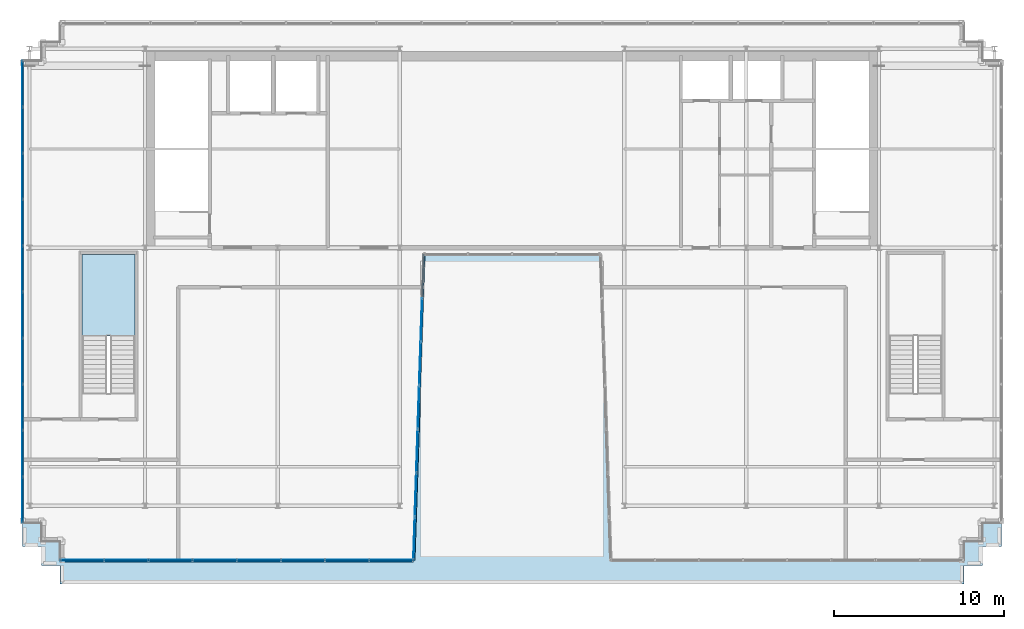
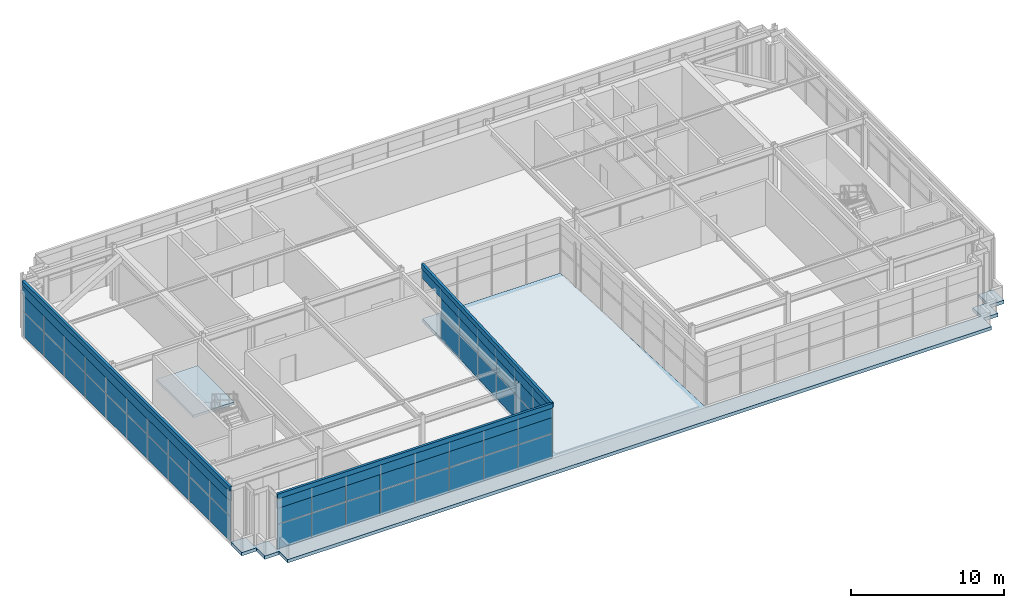
# One storey, part 27 of 37: 54 plates, 2 slabs, 4 elements without a shape of their own.
"""IFC4 building model written with IfcOpenShell, lengths in metres."""

from ifc_helpers import new_model, si_unit, direction, frame, origin, origin_2d, place, context, subcontext, project, spatial, polyline, rectangle, outline, extrude, source, transform, mapped, material, layer, layer_set, type_object, element, aggregate, save


model = new_model("IFC4")

# Units and contexts
model_context = context("Model", 3, precision=1e-05, world=origin(), true_north=direction((0.0, 1.0)))
body_context = subcontext(model_context, "Body", "Model", "MODEL_VIEW")
ifc_project = project(units=[si_unit("LENGTHUNIT", "METRE"), si_unit("AREAUNIT", "SQUARE_METRE"), si_unit("VOLUMEUNIT", "CUBIC_METRE"), si_unit("PLANEANGLEUNIT", "RADIAN"), si_unit("MASSUNIT", "GRAM", prefix="KILO")], contexts=[model_context])

# Site, building, storey
site_placement = place(None, origin())
site = spatial("IfcSite", under=ifc_project, at=site_placement, CompositionType="ELEMENT")
building_placement = place(site_placement, origin())
building = spatial("IfcBuilding", under=site, at=building_placement, Name="Trelvane Seafront Commons", CompositionType="ELEMENT")
storey_placement = place(building_placement, frame((0.0, 0.0, 303.5)))
storey = spatial("IfcBuildingStorey", under=building, at=storey_placement, Name="L79", CompositionType="ELEMENT", Elevation=303.5)

# Stair, slab
ifc_material_1 = material(Name="Concrete C40/50", Category="concrete")
stair_type = type_object("IfcStairType", Name="ARCH-STR-ST-5-R26-169", PredefinedType="HALF_TURN_STAIR", material=ifc_material_1)
stair_placement = place(storey_placement, origin())
stair = element("IfcStair", 1, at=stair_placement, inside=storey, type_object=stair_type, Name="L79 Crown West Peak Enclosed Maintenance Exit Stair ST-5", PredefinedType="HALF_TURN_STAIR")
ifc_layer_1 = layer(ifc_material_1, 0.199951171875, Name="ARCH-LND-200")
ifc_layer_set_1 = layer_set([ifc_layer_1], Name="Concrete C40/50")
slab_type_1 = type_object("IfcSlabType", Name="ARCH-LND-200", PredefinedType="LANDING", material=ifc_layer_set_1)
slab_1_placement = place(storey_placement, frame((0.0, 0.0, 2.0)))
slab_1 = element("IfcSlab", 2, at=slab_1_placement, type_object=slab_type_1, Name="ST-5 landing 1", PredefinedType="LANDING", context=body_context, shape_type="SweptSolid", body=[
    extrude(outline(polyline([(15.0, 28.2099609375), (15.0, 33.0), (11.89990234375, 33.0), (11.89990234375, 28.2099609375), (15.0, 28.2099609375)])), origin(), (0.0, 0.0, 1.0), 0.199951171875),
])
aggregate(stair, [slab_1])

# Slab
ifc_layer_2 = layer(ifc_material_1, 0.27001953125, Name="STR-ROOF-270")
ifc_layer_set_2 = layer_set([ifc_layer_2], Name="Concrete C40/50")
slab_type_2 = type_object("IfcSlabType", Name="STR-ROOF-270", PredefinedType="ROOF", material=ifc_layer_set_2)
slab_2_placement = place(storey_placement, frame((0.0, 0.0, -0.27001953125)))
element("IfcSlab", 3, at=slab_2_placement, inside=storey, type_object=slab_type_2, Name="L79 Crown Setback Step Roof Slab", PredefinedType="ROOF", context=body_context, shape_type="SweptSolid", body=[
    extrude(outline(polyline([(66.0, 17.199951171875), (64.89990234375, 17.199951171875), (64.89990234375, 16.10009765625), (63.800048828125, 16.10009765625), (63.800048828125, 15.0), (43.0, 15.0), (42.39990234375, 33.0), (32.0, 33.0), (31.39990234375, 15.0), (10.60009765625, 15.0), (10.60009765625, 16.10009765625), (9.5, 16.10009765625), (9.5, 17.199951171875), (8.39990234375, 17.199951171875), (8.39990234375, 15.800048828125), (9.5, 15.800048828125), (9.5, 14.699951171875), (10.60009765625, 14.699951171875), (10.60009765625, 13.60009765625), (63.800048828125, 13.60009765625), (63.800048828125, 14.699951171875), (64.89990234375, 14.699951171875), (64.89990234375, 15.800048828125), (66.0, 15.800048828125), (66.0, 17.199951171875)])), origin(), (0.0, 0.0, 1.0), 0.27001953125),
])

# Curtain wall, plates
ifc_material_2 = material(Name="Anodised pale-silver aluminium", Category="aluminium")
curtain_wall_type = type_object("IfcCurtainWallType", Name="ARCH-CW6-CROWN", PredefinedType="NOTDEFINED", material=ifc_material_2)
curtain_wall_1_placement = place(storey_placement, origin())
curtain_wall_1 = element("IfcCurtainWall", 4, at=curtain_wall_1_placement, inside=storey, type_object=curtain_wall_type, Name="CW-L79-0128", PredefinedType="NOTDEFINED")
ifc_material_3 = material(Name="Low-E coastal double glazing", Category="glass")
ifc_layer_3 = layer(ifc_material_3, 0.033935546875, Name="ARCH-CW-GLAZ-34")
ifc_layer_set_3 = layer_set([ifc_layer_3], Name="Low-E coastal double glazing")
plate_type_1 = type_object("IfcPlateType", Name="ARCH-CW-GLAZ-34", PredefinedType="CURTAIN_PANEL", material=ifc_layer_set_3)
shared_shape_1 = source(origin(), body_context, "Body", "SweptSolid", [
    extrude(rectangle(XDim=2.696044921875, YDim=0.031982421875, at=origin_2d()), origin(), (0.0, 0.0, 1.0), 1.949951171875),
])
plate_1_placement = place(storey_placement, frame((8.39990234375, 18.56005859375, 0.0), z_axis=(0.0, 0.0, 1.0), x_axis=(0.0, 1.0, 0.0)))
plate_1 = element("IfcPlate", 5, at=plate_1_placement, type_object=plate_type_1, Name="CW-L79-0128-P00-1", PredefinedType="CURTAIN_PANEL", context=body_context, shape_type="MappedRepresentation", body=[
    mapped(shared_shape_1, transform((0.0, 0.0, 0.0), x_axis=(1.0, 0.0, 0.0), y_axis=(0.0, 1.0, 0.0), z_axis=(0.0, 0.0, 1.0), scale=1.0)),
])
plate_2_placement = place(storey_placement, frame((8.39990234375, 21.280029296875, 0.0), z_axis=(0.0, 0.0, 1.0), x_axis=(0.0, 1.0, 0.0)))
plate_2 = element("IfcPlate", 6, at=plate_2_placement, type_object=plate_type_1, Name="CW-L79-0128-P01-1", PredefinedType="CURTAIN_PANEL", context=body_context, shape_type="MappedRepresentation", body=[
    mapped(shared_shape_1, transform((0.0, 0.0, 0.0), x_axis=(1.0, 0.0, 0.0), y_axis=(0.0, 1.0, 0.0), z_axis=(0.0, 0.0, 1.0), scale=1.0)),
])
plate_3_placement = place(storey_placement, frame((8.39990234375, 24.0, 0.0), z_axis=(0.0, 0.0, 1.0), x_axis=(0.0, 1.0, 0.0)))
plate_3 = element("IfcPlate", 7, at=plate_3_placement, type_object=plate_type_1, Name="CW-L79-0128-P02-1", PredefinedType="CURTAIN_PANEL", context=body_context, shape_type="MappedRepresentation", body=[
    mapped(shared_shape_1, transform((0.0, 0.0, 0.0), x_axis=(1.0, 0.0, 0.0), y_axis=(0.0, 1.0, 0.0), z_axis=(0.0, 0.0, 1.0), scale=1.0)),
])
plate_4_placement = place(storey_placement, frame((8.39990234375, 26.719970703125, 0.0), z_axis=(0.0, 0.0, 1.0), x_axis=(0.0, 1.0, 0.0)))
plate_4 = element("IfcPlate", 8, at=plate_4_placement, type_object=plate_type_1, Name="CW-L79-0128-P03-1", PredefinedType="CURTAIN_PANEL", context=body_context, shape_type="MappedRepresentation", body=[
    mapped(shared_shape_1, transform((0.0, 0.0, 0.0), x_axis=(1.0, 0.0, 0.0), y_axis=(0.0, 1.0, 0.0), z_axis=(0.0, 0.0, 1.0), scale=1.0)),
])
plate_5_placement = place(storey_placement, frame((8.39990234375, 29.43994140625, 0.0), z_axis=(0.0, 0.0, 1.0), x_axis=(0.0, 1.0, 0.0)))
plate_5 = element("IfcPlate", 9, at=plate_5_placement, type_object=plate_type_1, Name="CW-L79-0128-P04-1", PredefinedType="CURTAIN_PANEL", context=body_context, shape_type="MappedRepresentation", body=[
    mapped(shared_shape_1, transform((0.0, 0.0, 0.0), x_axis=(1.0, 0.0, 0.0), y_axis=(0.0, 1.0, 0.0), z_axis=(0.0, 0.0, 1.0), scale=1.0)),
])
plate_6_placement = place(storey_placement, frame((8.39990234375, 32.159912109375, 0.0), z_axis=(0.0, 0.0, 1.0), x_axis=(0.0, 1.0, 0.0)))
plate_6 = element("IfcPlate", 10, at=plate_6_placement, type_object=plate_type_1, Name="CW-L79-0128-P05-1", PredefinedType="CURTAIN_PANEL", context=body_context, shape_type="MappedRepresentation", body=[
    mapped(shared_shape_1, transform((0.0, 0.0, 0.0), x_axis=(1.0, 0.0, 0.0), y_axis=(0.0, 1.0, 0.0), z_axis=(0.0, 0.0, 1.0), scale=1.0)),
])
plate_7_placement = place(storey_placement, frame((8.39990234375, 34.8798828125, 0.0), z_axis=(0.0, 0.0, 1.0), x_axis=(0.0, 1.0, 0.0)))
plate_7 = element("IfcPlate", 11, at=plate_7_placement, type_object=plate_type_1, Name="CW-L79-0128-P06-1", PredefinedType="CURTAIN_PANEL", context=body_context, shape_type="MappedRepresentation", body=[
    mapped(shared_shape_1, transform((0.0, 0.0, 0.0), x_axis=(1.0, 0.0, 0.0), y_axis=(0.0, 1.0, 0.0), z_axis=(0.0, 0.0, 1.0), scale=1.0)),
])
plate_8_placement = place(storey_placement, frame((8.39990234375, 37.60009765625, 0.0), z_axis=(0.0, 0.0, 1.0), x_axis=(0.0, 1.0, 0.0)))
plate_8 = element("IfcPlate", 12, at=plate_8_placement, type_object=plate_type_1, Name="CW-L79-0128-P07-1", PredefinedType="CURTAIN_PANEL", context=body_context, shape_type="MappedRepresentation", body=[
    mapped(shared_shape_1, transform((0.0, 0.0, 0.0), x_axis=(1.0, 0.0, 0.0), y_axis=(0.0, 1.0, 0.0), z_axis=(0.0, 0.0, 1.0), scale=1.0)),
])
plate_9_placement = place(storey_placement, frame((8.39990234375, 40.320068359375, 0.0), z_axis=(0.0, 0.0, 1.0), x_axis=(0.0, 1.0, 0.0)))
plate_9 = element("IfcPlate", 13, at=plate_9_placement, type_object=plate_type_1, Name="CW-L79-0128-P08-1", PredefinedType="CURTAIN_PANEL", context=body_context, shape_type="MappedRepresentation", body=[
    mapped(shared_shape_1, transform((0.0, 0.0, 0.0), x_axis=(1.0, 0.0, 0.0), y_axis=(0.0, 1.0, 0.0), z_axis=(0.0, 0.0, 1.0), scale=1.0)),
])
plate_10_placement = place(storey_placement, frame((8.39990234375, 43.0400390625, 0.0), z_axis=(0.0, 0.0, 1.0), x_axis=(0.0, 1.0, 0.0)))
plate_10 = element("IfcPlate", 14, at=plate_10_placement, type_object=plate_type_1, Name="CW-L79-0128-P09-1", PredefinedType="CURTAIN_PANEL", context=body_context, shape_type="MappedRepresentation", body=[
    mapped(shared_shape_1, transform((0.0, 0.0, 0.0), x_axis=(1.0, 0.0, 0.0), y_axis=(0.0, 1.0, 0.0), z_axis=(0.0, 0.0, 1.0), scale=1.0)),
])
shared_shape_2 = source(origin(), body_context, "Body", "SweptSolid", [
    extrude(rectangle(XDim=2.696044921875, YDim=0.031982421875, at=origin_2d()), origin(), (0.0, 0.0, 1.0), 2.114013671875),
])
plate_11_placement = place(storey_placement, frame((8.39990234375, 18.56005859375, 1.98583984375), z_axis=(0.0, 0.0, 1.0), x_axis=(0.0, 1.0, 0.0)))
plate_11 = element("IfcPlate", 15, at=plate_11_placement, type_object=plate_type_1, Name="CW-L79-0128-P00-2", PredefinedType="CURTAIN_PANEL", context=body_context, shape_type="MappedRepresentation", body=[
    mapped(shared_shape_2, transform((0.0, 0.0, 0.0), x_axis=(1.0, 0.0, 0.0), y_axis=(0.0, 1.0, 0.0), z_axis=(0.0, 0.0, 1.0), scale=1.0)),
])
plate_12_placement = place(storey_placement, frame((8.39990234375, 21.280029296875, 1.98583984375), z_axis=(0.0, 0.0, 1.0), x_axis=(0.0, 1.0, 0.0)))
plate_12 = element("IfcPlate", 16, at=plate_12_placement, type_object=plate_type_1, Name="CW-L79-0128-P01-2", PredefinedType="CURTAIN_PANEL", context=body_context, shape_type="MappedRepresentation", body=[
    mapped(shared_shape_2, transform((0.0, 0.0, 0.0), x_axis=(1.0, 0.0, 0.0), y_axis=(0.0, 1.0, 0.0), z_axis=(0.0, 0.0, 1.0), scale=1.0)),
])
plate_13_placement = place(storey_placement, frame((8.39990234375, 24.0, 1.98583984375), z_axis=(0.0, 0.0, 1.0), x_axis=(0.0, 1.0, 0.0)))
plate_13 = element("IfcPlate", 17, at=plate_13_placement, type_object=plate_type_1, Name="CW-L79-0128-P02-2", PredefinedType="CURTAIN_PANEL", context=body_context, shape_type="MappedRepresentation", body=[
    mapped(shared_shape_2, transform((0.0, 0.0, 0.0), x_axis=(1.0, 0.0, 0.0), y_axis=(0.0, 1.0, 0.0), z_axis=(0.0, 0.0, 1.0), scale=1.0)),
])
plate_14_placement = place(storey_placement, frame((8.39990234375, 26.719970703125, 1.98583984375), z_axis=(0.0, 0.0, 1.0), x_axis=(0.0, 1.0, 0.0)))
plate_14 = element("IfcPlate", 18, at=plate_14_placement, type_object=plate_type_1, Name="CW-L79-0128-P03-2", PredefinedType="CURTAIN_PANEL", context=body_context, shape_type="MappedRepresentation", body=[
    mapped(shared_shape_2, transform((0.0, 0.0, 0.0), x_axis=(1.0, 0.0, 0.0), y_axis=(0.0, 1.0, 0.0), z_axis=(0.0, 0.0, 1.0), scale=1.0)),
])
plate_15_placement = place(storey_placement, frame((8.39990234375, 29.43994140625, 1.98583984375), z_axis=(0.0, 0.0, 1.0), x_axis=(0.0, 1.0, 0.0)))
plate_15 = element("IfcPlate", 19, at=plate_15_placement, type_object=plate_type_1, Name="CW-L79-0128-P04-2", PredefinedType="CURTAIN_PANEL", context=body_context, shape_type="MappedRepresentation", body=[
    mapped(shared_shape_2, transform((0.0, 0.0, 0.0), x_axis=(1.0, 0.0, 0.0), y_axis=(0.0, 1.0, 0.0), z_axis=(0.0, 0.0, 1.0), scale=1.0)),
])
plate_16_placement = place(storey_placement, frame((8.39990234375, 32.159912109375, 1.98583984375), z_axis=(0.0, 0.0, 1.0), x_axis=(0.0, 1.0, 0.0)))
plate_16 = element("IfcPlate", 20, at=plate_16_placement, type_object=plate_type_1, Name="CW-L79-0128-P05-2", PredefinedType="CURTAIN_PANEL", context=body_context, shape_type="MappedRepresentation", body=[
    mapped(shared_shape_2, transform((0.0, 0.0, 0.0), x_axis=(1.0, 0.0, 0.0), y_axis=(0.0, 1.0, 0.0), z_axis=(0.0, 0.0, 1.0), scale=1.0)),
])
plate_17_placement = place(storey_placement, frame((8.39990234375, 34.8798828125, 1.98583984375), z_axis=(0.0, 0.0, 1.0), x_axis=(0.0, 1.0, 0.0)))
plate_17 = element("IfcPlate", 21, at=plate_17_placement, type_object=plate_type_1, Name="CW-L79-0128-P06-2", PredefinedType="CURTAIN_PANEL", context=body_context, shape_type="MappedRepresentation", body=[
    mapped(shared_shape_2, transform((0.0, 0.0, 0.0), x_axis=(1.0, 0.0, 0.0), y_axis=(0.0, 1.0, 0.0), z_axis=(0.0, 0.0, 1.0), scale=1.0)),
])
plate_18_placement = place(storey_placement, frame((8.39990234375, 37.60009765625, 1.98583984375), z_axis=(0.0, 0.0, 1.0), x_axis=(0.0, 1.0, 0.0)))
plate_18 = element("IfcPlate", 22, at=plate_18_placement, type_object=plate_type_1, Name="CW-L79-0128-P07-2", PredefinedType="CURTAIN_PANEL", context=body_context, shape_type="MappedRepresentation", body=[
    mapped(shared_shape_2, transform((0.0, 0.0, 0.0), x_axis=(1.0, 0.0, 0.0), y_axis=(0.0, 1.0, 0.0), z_axis=(0.0, 0.0, 1.0), scale=1.0)),
])
plate_19_placement = place(storey_placement, frame((8.39990234375, 40.320068359375, 1.98583984375), z_axis=(0.0, 0.0, 1.0), x_axis=(0.0, 1.0, 0.0)))
plate_19 = element("IfcPlate", 23, at=plate_19_placement, type_object=plate_type_1, Name="CW-L79-0128-P08-2", PredefinedType="CURTAIN_PANEL", context=body_context, shape_type="MappedRepresentation", body=[
    mapped(shared_shape_2, transform((0.0, 0.0, 0.0), x_axis=(1.0, 0.0, 0.0), y_axis=(0.0, 1.0, 0.0), z_axis=(0.0, 0.0, 1.0), scale=1.0)),
])
plate_20_placement = place(storey_placement, frame((8.39990234375, 43.0400390625, 1.98583984375), z_axis=(0.0, 0.0, 1.0), x_axis=(0.0, 1.0, 0.0)))
plate_20 = element("IfcPlate", 24, at=plate_20_placement, type_object=plate_type_1, Name="CW-L79-0128-P09-2", PredefinedType="CURTAIN_PANEL", context=body_context, shape_type="MappedRepresentation", body=[
    mapped(shared_shape_2, transform((0.0, 0.0, 0.0), x_axis=(1.0, 0.0, 0.0), y_axis=(0.0, 1.0, 0.0), z_axis=(0.0, 0.0, 1.0), scale=1.0)),
])
aggregate(curtain_wall_1, [plate_1, plate_11, plate_2, plate_12, plate_3, plate_13, plate_4, plate_14, plate_5, plate_15, plate_6, plate_16, plate_7, plate_17, plate_8, plate_18, plate_9, plate_19, plate_10, plate_20])

# Plates
ifc_layer_4 = layer(ifc_material_2, 0.080078125, Name="ARCH-PLATE-LOUVRE")
ifc_layer_set_4 = layer_set([ifc_layer_4], Name="Anodised pale-silver aluminium")
plate_type_2 = type_object("IfcPlateType", Name="ARCH-PLATE-LOUVRE", PredefinedType="USERDEFINED", material=ifc_layer_set_4)
shared_shape_3 = source(origin(), body_context, "Body", "SweptSolid", [
    extrude(rectangle(XDim=27.199951171875, YDim=0.080078125, at=origin_2d()), origin(), (0.0, 0.0, 1.0), 0.889892578125),
])
plate_21_placement = place(storey_placement, frame((8.39990234375, 30.800048828125, 3.25), z_axis=(0.0, 0.0, 1.0), x_axis=(0.0, 1.0, 0.0)))
element("IfcPlate", 25, at=plate_21_placement, inside=storey, type_object=plate_type_2, Name="LOU-L79-017", ObjectType="LOUVRE", PredefinedType="USERDEFINED", context=body_context, shape_type="MappedRepresentation", body=[
    mapped(shared_shape_3, transform((0.0, 0.0, 0.0), x_axis=(1.0, 0.0, 0.0), y_axis=(0.0, 1.0, 0.0), z_axis=(0.0, 0.0, 1.0), scale=1.0)),
])
ifc_layer_5 = layer(ifc_material_2, 0.179931640625, Name="ARCH-PLATE-AERO")
ifc_layer_set_5 = layer_set([ifc_layer_5], Name="Anodised pale-silver aluminium")
plate_type_3 = type_object("IfcPlateType", Name="ARCH-PLATE-AERO", PredefinedType="SHEET", material=ifc_layer_set_5)
shared_shape_4 = source(origin(), body_context, "Body", "SweptSolid", [
    extrude(rectangle(XDim=27.199951171875, YDim=0.179931640625, at=origin_2d()), origin(), (0.0, 0.0, 1.0), 0.3798828125),
])
plate_22_placement = place(storey_placement, frame((8.39990234375, 30.800048828125, 4.0400390625), z_axis=(0.0, 0.0, 1.0), x_axis=(0.0, 1.0, 0.0)))
element("IfcPlate", 26, at=plate_22_placement, inside=storey, type_object=plate_type_3, Name="AER-L79-00274", PredefinedType="SHEET", context=body_context, shape_type="MappedRepresentation", body=[
    mapped(shared_shape_4, transform((0.0, 0.0, 0.0), x_axis=(1.0, 0.0, 0.0), y_axis=(0.0, 1.0, 0.0), z_axis=(0.0, 0.0, 1.0), scale=1.0)),
])

# Curtain wall, plates
curtain_wall_2_placement = place(storey_placement, origin())
curtain_wall_2 = element("IfcCurtainWall", 27, at=curtain_wall_2_placement, inside=storey, type_object=curtain_wall_type, Name="CW-L79-0135", PredefinedType="NOTDEFINED")
shared_shape_5 = source(origin(), body_context, "Body", "SweptSolid", [
    extrude(rectangle(XDim=2.575927734375, YDim=0.031982421875, at=origin_2d()), origin(), (0.0, 0.0, 1.0), 1.949951171875),
])
plate_23_placement = place(storey_placement, frame((30.10009765625, 15.0, 0.0), z_axis=(0.0, 0.0, 1.0), x_axis=(-1.0, 0.0, 0.0)))
plate_23 = element("IfcPlate", 28, at=plate_23_placement, type_object=plate_type_1, Name="CW-L79-0135-P00-1", PredefinedType="CURTAIN_PANEL", context=body_context, shape_type="MappedRepresentation", body=[
    mapped(shared_shape_5, transform((0.0, 0.0, 0.0), x_axis=(1.0, 0.0, 0.0), y_axis=(0.0, 1.0, 0.0), z_axis=(0.0, 0.0, 1.0), scale=1.0)),
])
plate_24_placement = place(storey_placement, frame((27.5, 15.0, 0.0), z_axis=(0.0, 0.0, 1.0), x_axis=(-1.0, 0.0, 0.0)))
plate_24 = element("IfcPlate", 29, at=plate_24_placement, type_object=plate_type_1, Name="CW-L79-0135-P01-1", PredefinedType="CURTAIN_PANEL", context=body_context, shape_type="MappedRepresentation", body=[
    mapped(shared_shape_5, transform((0.0, 0.0, 0.0), x_axis=(1.0, 0.0, 0.0), y_axis=(0.0, 1.0, 0.0), z_axis=(0.0, 0.0, 1.0), scale=1.0)),
])
plate_25_placement = place(storey_placement, frame((24.89990234375, 15.0, 0.0), z_axis=(0.0, 0.0, 1.0), x_axis=(-1.0, 0.0, 0.0)))
plate_25 = element("IfcPlate", 30, at=plate_25_placement, type_object=plate_type_1, Name="CW-L79-0135-P02-1", PredefinedType="CURTAIN_PANEL", context=body_context, shape_type="MappedRepresentation", body=[
    mapped(shared_shape_5, transform((0.0, 0.0, 0.0), x_axis=(1.0, 0.0, 0.0), y_axis=(0.0, 1.0, 0.0), z_axis=(0.0, 0.0, 1.0), scale=1.0)),
])
plate_26_placement = place(storey_placement, frame((22.300048828125, 15.0, 0.0), z_axis=(0.0, 0.0, 1.0), x_axis=(-1.0, 0.0, 0.0)))
plate_26 = element("IfcPlate", 31, at=plate_26_placement, type_object=plate_type_1, Name="CW-L79-0135-P03-1", PredefinedType="CURTAIN_PANEL", context=body_context, shape_type="MappedRepresentation", body=[
    mapped(shared_shape_5, transform((0.0, 0.0, 0.0), x_axis=(1.0, 0.0, 0.0), y_axis=(0.0, 1.0, 0.0), z_axis=(0.0, 0.0, 1.0), scale=1.0)),
])
plate_27_placement = place(storey_placement, frame((19.699951171875, 15.0, 0.0), z_axis=(0.0, 0.0, 1.0), x_axis=(-1.0, 0.0, 0.0)))
plate_27 = element("IfcPlate", 32, at=plate_27_placement, type_object=plate_type_1, Name="CW-L79-0135-P04-1", PredefinedType="CURTAIN_PANEL", context=body_context, shape_type="MappedRepresentation", body=[
    mapped(shared_shape_5, transform((0.0, 0.0, 0.0), x_axis=(1.0, 0.0, 0.0), y_axis=(0.0, 1.0, 0.0), z_axis=(0.0, 0.0, 1.0), scale=1.0)),
])
plate_28_placement = place(storey_placement, frame((17.10009765625, 15.0, 0.0), z_axis=(0.0, 0.0, 1.0), x_axis=(-1.0, 0.0, 0.0)))
plate_28 = element("IfcPlate", 33, at=plate_28_placement, type_object=plate_type_1, Name="CW-L79-0135-P05-1", PredefinedType="CURTAIN_PANEL", context=body_context, shape_type="MappedRepresentation", body=[
    mapped(shared_shape_5, transform((0.0, 0.0, 0.0), x_axis=(1.0, 0.0, 0.0), y_axis=(0.0, 1.0, 0.0), z_axis=(0.0, 0.0, 1.0), scale=1.0)),
])
plate_29_placement = place(storey_placement, frame((14.5, 15.0, 0.0), z_axis=(0.0, 0.0, 1.0), x_axis=(-1.0, 0.0, 0.0)))
plate_29 = element("IfcPlate", 34, at=plate_29_placement, type_object=plate_type_1, Name="CW-L79-0135-P06-1", PredefinedType="CURTAIN_PANEL", context=body_context, shape_type="MappedRepresentation", body=[
    mapped(shared_shape_5, transform((0.0, 0.0, 0.0), x_axis=(1.0, 0.0, 0.0), y_axis=(0.0, 1.0, 0.0), z_axis=(0.0, 0.0, 1.0), scale=1.0)),
])
plate_30_placement = place(storey_placement, frame((11.89990234375, 15.0, 0.0), z_axis=(0.0, 0.0, 1.0), x_axis=(-1.0, 0.0, 0.0)))
plate_30 = element("IfcPlate", 35, at=plate_30_placement, type_object=plate_type_1, Name="CW-L79-0135-P07-1", PredefinedType="CURTAIN_PANEL", context=body_context, shape_type="MappedRepresentation", body=[
    mapped(shared_shape_5, transform((0.0, 0.0, 0.0), x_axis=(1.0, 0.0, 0.0), y_axis=(0.0, 1.0, 0.0), z_axis=(0.0, 0.0, 1.0), scale=1.0)),
])
shared_shape_6 = source(origin(), body_context, "Body", "SweptSolid", [
    extrude(rectangle(XDim=2.575927734375, YDim=0.031982421875, at=origin_2d()), origin(), (0.0, 0.0, 1.0), 2.114013671875),
])
plate_31_placement = place(storey_placement, frame((30.10009765625, 15.0, 1.98583984375), z_axis=(0.0, 0.0, 1.0), x_axis=(-1.0, 0.0, 0.0)))
plate_31 = element("IfcPlate", 36, at=plate_31_placement, type_object=plate_type_1, Name="CW-L79-0135-P00-2", PredefinedType="CURTAIN_PANEL", context=body_context, shape_type="MappedRepresentation", body=[
    mapped(shared_shape_6, transform((0.0, 0.0, 0.0), x_axis=(1.0, 0.0, 0.0), y_axis=(0.0, 1.0, 0.0), z_axis=(0.0, 0.0, 1.0), scale=1.0)),
])
plate_32_placement = place(storey_placement, frame((27.5, 15.0, 1.98583984375), z_axis=(0.0, 0.0, 1.0), x_axis=(-1.0, 0.0, 0.0)))
plate_32 = element("IfcPlate", 37, at=plate_32_placement, type_object=plate_type_1, Name="CW-L79-0135-P01-2", PredefinedType="CURTAIN_PANEL", context=body_context, shape_type="MappedRepresentation", body=[
    mapped(shared_shape_6, transform((0.0, 0.0, 0.0), x_axis=(1.0, 0.0, 0.0), y_axis=(0.0, 1.0, 0.0), z_axis=(0.0, 0.0, 1.0), scale=1.0)),
])
plate_33_placement = place(storey_placement, frame((24.89990234375, 15.0, 1.98583984375), z_axis=(0.0, 0.0, 1.0), x_axis=(-1.0, 0.0, 0.0)))
plate_33 = element("IfcPlate", 38, at=plate_33_placement, type_object=plate_type_1, Name="CW-L79-0135-P02-2", PredefinedType="CURTAIN_PANEL", context=body_context, shape_type="MappedRepresentation", body=[
    mapped(shared_shape_6, transform((0.0, 0.0, 0.0), x_axis=(1.0, 0.0, 0.0), y_axis=(0.0, 1.0, 0.0), z_axis=(0.0, 0.0, 1.0), scale=1.0)),
])
plate_34_placement = place(storey_placement, frame((22.300048828125, 15.0, 1.98583984375), z_axis=(0.0, 0.0, 1.0), x_axis=(-1.0, 0.0, 0.0)))
plate_34 = element("IfcPlate", 39, at=plate_34_placement, type_object=plate_type_1, Name="CW-L79-0135-P03-2", PredefinedType="CURTAIN_PANEL", context=body_context, shape_type="MappedRepresentation", body=[
    mapped(shared_shape_6, transform((0.0, 0.0, 0.0), x_axis=(1.0, 0.0, 0.0), y_axis=(0.0, 1.0, 0.0), z_axis=(0.0, 0.0, 1.0), scale=1.0)),
])
plate_35_placement = place(storey_placement, frame((19.699951171875, 15.0, 1.98583984375), z_axis=(0.0, 0.0, 1.0), x_axis=(-1.0, 0.0, 0.0)))
plate_35 = element("IfcPlate", 40, at=plate_35_placement, type_object=plate_type_1, Name="CW-L79-0135-P04-2", PredefinedType="CURTAIN_PANEL", context=body_context, shape_type="MappedRepresentation", body=[
    mapped(shared_shape_6, transform((0.0, 0.0, 0.0), x_axis=(1.0, 0.0, 0.0), y_axis=(0.0, 1.0, 0.0), z_axis=(0.0, 0.0, 1.0), scale=1.0)),
])
plate_36_placement = place(storey_placement, frame((17.10009765625, 15.0, 1.98583984375), z_axis=(0.0, 0.0, 1.0), x_axis=(-1.0, 0.0, 0.0)))
plate_36 = element("IfcPlate", 41, at=plate_36_placement, type_object=plate_type_1, Name="CW-L79-0135-P05-2", PredefinedType="CURTAIN_PANEL", context=body_context, shape_type="MappedRepresentation", body=[
    mapped(shared_shape_6, transform((0.0, 0.0, 0.0), x_axis=(1.0, 0.0, 0.0), y_axis=(0.0, 1.0, 0.0), z_axis=(0.0, 0.0, 1.0), scale=1.0)),
])
plate_37_placement = place(storey_placement, frame((14.5, 15.0, 1.98583984375), z_axis=(0.0, 0.0, 1.0), x_axis=(-1.0, 0.0, 0.0)))
plate_37 = element("IfcPlate", 42, at=plate_37_placement, type_object=plate_type_1, Name="CW-L79-0135-P06-2", PredefinedType="CURTAIN_PANEL", context=body_context, shape_type="MappedRepresentation", body=[
    mapped(shared_shape_6, transform((0.0, 0.0, 0.0), x_axis=(1.0, 0.0, 0.0), y_axis=(0.0, 1.0, 0.0), z_axis=(0.0, 0.0, 1.0), scale=1.0)),
])
plate_38_placement = place(storey_placement, frame((11.89990234375, 15.0, 1.98583984375), z_axis=(0.0, 0.0, 1.0), x_axis=(-1.0, 0.0, 0.0)))
plate_38 = element("IfcPlate", 43, at=plate_38_placement, type_object=plate_type_1, Name="CW-L79-0135-P07-2", PredefinedType="CURTAIN_PANEL", context=body_context, shape_type="MappedRepresentation", body=[
    mapped(shared_shape_6, transform((0.0, 0.0, 0.0), x_axis=(1.0, 0.0, 0.0), y_axis=(0.0, 1.0, 0.0), z_axis=(0.0, 0.0, 1.0), scale=1.0)),
])
aggregate(curtain_wall_2, [plate_23, plate_31, plate_24, plate_32, plate_25, plate_33, plate_26, plate_34, plate_27, plate_35, plate_28, plate_36, plate_29, plate_37, plate_30, plate_38])

# Plates
shared_shape_7 = source(origin(), body_context, "Body", "SweptSolid", [
    extrude(rectangle(XDim=20.800048828125, YDim=0.080078125, at=origin_2d()), origin(), (0.0, 0.0, 1.0), 0.889892578125),
])
plate_39_placement = place(storey_placement, frame((21.0, 15.0, 3.25), z_axis=(0.0, 0.0, 1.0), x_axis=(-1.0, 0.0, 0.0)))
element("IfcPlate", 44, at=plate_39_placement, inside=storey, type_object=plate_type_2, Name="LOU-L79-024", ObjectType="LOUVRE", PredefinedType="USERDEFINED", context=body_context, shape_type="MappedRepresentation", body=[
    mapped(shared_shape_7, transform((0.0, 0.0, 0.0), x_axis=(1.0, 0.0, 0.0), y_axis=(0.0, 1.0, 0.0), z_axis=(0.0, 0.0, 1.0), scale=1.0)),
])
shared_shape_8 = source(origin(), body_context, "Body", "SweptSolid", [
    extrude(rectangle(XDim=20.800048828125, YDim=0.179931640625, at=origin_2d()), origin(), (0.0, 0.0, 1.0), 0.3798828125),
])
plate_40_placement = place(storey_placement, frame((21.0, 15.0, 4.0400390625), z_axis=(0.0, 0.0, 1.0), x_axis=(-1.0, 0.0, 0.0)))
element("IfcPlate", 45, at=plate_40_placement, inside=storey, type_object=plate_type_3, Name="AER-L79-00281", PredefinedType="SHEET", context=body_context, shape_type="MappedRepresentation", body=[
    mapped(shared_shape_8, transform((0.0, 0.0, 0.0), x_axis=(1.0, 0.0, 0.0), y_axis=(0.0, 1.0, 0.0), z_axis=(0.0, 0.0, 1.0), scale=1.0)),
])

# Curtain wall, plates
curtain_wall_3_placement = place(storey_placement, origin())
curtain_wall_3 = element("IfcCurtainWall", 46, at=curtain_wall_3_placement, inside=storey, type_object=curtain_wall_type, Name="CW-L79-0134", PredefinedType="NOTDEFINED")
shared_shape_9 = source(origin(), body_context, "Body", "SweptSolid", [
    extrude(rectangle(XDim=2.548828125, YDim=0.031982421875, at=origin_2d()), origin(), (0.0, 0.0, 1.0), 1.949951171875),
])
plate_41_placement = place(storey_placement, frame((31.87158203125, 29.142822265625, 0.0), z_axis=(0.0, 0.0, 1.0), x_axis=(-0.03330868253, -0.999445111884, 0.0)))
plate_41 = element("IfcPlate", 47, at=plate_41_placement, type_object=plate_type_1, Name="CW-L79-0134-P01-1", PredefinedType="CURTAIN_PANEL", context=body_context, shape_type="MappedRepresentation", body=[
    mapped(shared_shape_9, transform((0.0, 0.0, 0.0), x_axis=(1.0, 0.0, 0.0), y_axis=(0.0, 1.0, 0.0), z_axis=(0.0, 0.0, 1.0), scale=1.0)),
])
plate_42_placement = place(storey_placement, frame((31.785888671875, 26.5712890625, 0.0), z_axis=(0.0, 0.0, 1.0), x_axis=(-0.033310426891, -0.999445053747, 0.0)))
plate_42 = element("IfcPlate", 48, at=plate_42_placement, type_object=plate_type_1, Name="CW-L79-0134-P02-1", PredefinedType="CURTAIN_PANEL", context=body_context, shape_type="MappedRepresentation", body=[
    mapped(shared_shape_9, transform((0.0, 0.0, 0.0), x_axis=(1.0, 0.0, 0.0), y_axis=(0.0, 1.0, 0.0), z_axis=(0.0, 0.0, 1.0), scale=1.0)),
])
plate_43_placement = place(storey_placement, frame((31.699951171875, 24.0, 0.0), z_axis=(0.0, 0.0, 1.0), x_axis=(-0.033348802802, -0.999443773982, 0.0)))
plate_43 = element("IfcPlate", 49, at=plate_43_placement, type_object=plate_type_1, Name="CW-L79-0134-P03-1", PredefinedType="CURTAIN_PANEL", context=body_context, shape_type="MappedRepresentation", body=[
    mapped(shared_shape_9, transform((0.0, 0.0, 0.0), x_axis=(1.0, 0.0, 0.0), y_axis=(0.0, 1.0, 0.0), z_axis=(0.0, 0.0, 1.0), scale=1.0)),
])
plate_44_placement = place(storey_placement, frame((31.6142578125, 21.4287109375, 0.0), z_axis=(0.0, 0.0, 1.0), x_axis=(-0.033310426891, -0.999445053747, 0.0)))
plate_44 = element("IfcPlate", 50, at=plate_44_placement, type_object=plate_type_1, Name="CW-L79-0134-P04-1", PredefinedType="CURTAIN_PANEL", context=body_context, shape_type="MappedRepresentation", body=[
    mapped(shared_shape_9, transform((0.0, 0.0, 0.0), x_axis=(1.0, 0.0, 0.0), y_axis=(0.0, 1.0, 0.0), z_axis=(0.0, 0.0, 1.0), scale=1.0)),
])
plate_45_placement = place(storey_placement, frame((31.528564453125, 18.857177734375, 0.0), z_axis=(0.0, 0.0, 1.0), x_axis=(-0.03330868253, -0.999445111884, 0.0)))
plate_45 = element("IfcPlate", 51, at=plate_45_placement, type_object=plate_type_1, Name="CW-L79-0134-P05-1", PredefinedType="CURTAIN_PANEL", context=body_context, shape_type="MappedRepresentation", body=[
    mapped(shared_shape_9, transform((0.0, 0.0, 0.0), x_axis=(1.0, 0.0, 0.0), y_axis=(0.0, 1.0, 0.0), z_axis=(0.0, 0.0, 1.0), scale=1.0)),
])
plate_46_placement = place(storey_placement, frame((31.44287109375, 16.28564453125, 0.0), z_axis=(0.0, 0.0, 1.0), x_axis=(-0.033310426891, -0.999445053747, 0.0)))
plate_46 = element("IfcPlate", 52, at=plate_46_placement, type_object=plate_type_1, Name="CW-L79-0134-P06-1", PredefinedType="CURTAIN_PANEL", context=body_context, shape_type="MappedRepresentation", body=[
    mapped(shared_shape_9, transform((0.0, 0.0, 0.0), x_axis=(1.0, 0.0, 0.0), y_axis=(0.0, 1.0, 0.0), z_axis=(0.0, 0.0, 1.0), scale=1.0)),
])
shared_shape_10 = source(origin(), body_context, "Body", "SweptSolid", [
    extrude(rectangle(XDim=2.548828125, YDim=0.031982421875, at=origin_2d()), origin(), (0.0, 0.0, 1.0), 2.114013671875),
])
plate_47_placement = place(storey_placement, frame((31.87158203125, 29.142822265625, 1.98583984375), z_axis=(0.0, 0.0, 1.0), x_axis=(-0.03330868253, -0.999445111884, 0.0)))
plate_47 = element("IfcPlate", 53, at=plate_47_placement, type_object=plate_type_1, Name="CW-L79-0134-P01-2", PredefinedType="CURTAIN_PANEL", context=body_context, shape_type="MappedRepresentation", body=[
    mapped(shared_shape_10, transform((0.0, 0.0, 0.0), x_axis=(1.0, 0.0, 0.0), y_axis=(0.0, 1.0, 0.0), z_axis=(0.0, 0.0, 1.0), scale=1.0)),
])
plate_48_placement = place(storey_placement, frame((31.785888671875, 26.5712890625, 1.98583984375), z_axis=(0.0, 0.0, 1.0), x_axis=(-0.033310426891, -0.999445053747, 0.0)))
plate_48 = element("IfcPlate", 54, at=plate_48_placement, type_object=plate_type_1, Name="CW-L79-0134-P02-2", PredefinedType="CURTAIN_PANEL", context=body_context, shape_type="MappedRepresentation", body=[
    mapped(shared_shape_10, transform((0.0, 0.0, 0.0), x_axis=(1.0, 0.0, 0.0), y_axis=(0.0, 1.0, 0.0), z_axis=(0.0, 0.0, 1.0), scale=1.0)),
])
plate_49_placement = place(storey_placement, frame((31.699951171875, 24.0, 1.98583984375), z_axis=(0.0, 0.0, 1.0), x_axis=(-0.033348802802, -0.999443773982, 0.0)))
plate_49 = element("IfcPlate", 55, at=plate_49_placement, type_object=plate_type_1, Name="CW-L79-0134-P03-2", PredefinedType="CURTAIN_PANEL", context=body_context, shape_type="MappedRepresentation", body=[
    mapped(shared_shape_10, transform((0.0, 0.0, 0.0), x_axis=(1.0, 0.0, 0.0), y_axis=(0.0, 1.0, 0.0), z_axis=(0.0, 0.0, 1.0), scale=1.0)),
])
plate_50_placement = place(storey_placement, frame((31.6142578125, 21.4287109375, 1.98583984375), z_axis=(0.0, 0.0, 1.0), x_axis=(-0.033310426891, -0.999445053747, 0.0)))
plate_50 = element("IfcPlate", 56, at=plate_50_placement, type_object=plate_type_1, Name="CW-L79-0134-P04-2", PredefinedType="CURTAIN_PANEL", context=body_context, shape_type="MappedRepresentation", body=[
    mapped(shared_shape_10, transform((0.0, 0.0, 0.0), x_axis=(1.0, 0.0, 0.0), y_axis=(0.0, 1.0, 0.0), z_axis=(0.0, 0.0, 1.0), scale=1.0)),
])
plate_51_placement = place(storey_placement, frame((31.528564453125, 18.857177734375, 1.98583984375), z_axis=(0.0, 0.0, 1.0), x_axis=(-0.03330868253, -0.999445111884, 0.0)))
plate_51 = element("IfcPlate", 57, at=plate_51_placement, type_object=plate_type_1, Name="CW-L79-0134-P05-2", PredefinedType="CURTAIN_PANEL", context=body_context, shape_type="MappedRepresentation", body=[
    mapped(shared_shape_10, transform((0.0, 0.0, 0.0), x_axis=(1.0, 0.0, 0.0), y_axis=(0.0, 1.0, 0.0), z_axis=(0.0, 0.0, 1.0), scale=1.0)),
])
plate_52_placement = place(storey_placement, frame((31.44287109375, 16.28564453125, 1.98583984375), z_axis=(0.0, 0.0, 1.0), x_axis=(-0.033310426891, -0.999445053747, 0.0)))
plate_52 = element("IfcPlate", 58, at=plate_52_placement, type_object=plate_type_1, Name="CW-L79-0134-P06-2", PredefinedType="CURTAIN_PANEL", context=body_context, shape_type="MappedRepresentation", body=[
    mapped(shared_shape_10, transform((0.0, 0.0, 0.0), x_axis=(1.0, 0.0, 0.0), y_axis=(0.0, 1.0, 0.0), z_axis=(0.0, 0.0, 1.0), scale=1.0)),
])
aggregate(curtain_wall_3, [plate_41, plate_47, plate_42, plate_48, plate_43, plate_49, plate_44, plate_50, plate_45, plate_51, plate_46, plate_52])

# Plates
shared_shape_11 = source(origin(), body_context, "Body", "SweptSolid", [
    extrude(rectangle(XDim=18.010009765625, YDim=0.080078125, at=origin_2d()), origin(), (0.0, 0.0, 1.0), 0.889892578125),
])
plate_53_placement = place(storey_placement, frame((31.699951171875, 24.0, 3.25), z_axis=(0.0, 0.0, 1.0), x_axis=(-0.033315659973, -0.999444879321, 0.0)))
element("IfcPlate", 59, at=plate_53_placement, inside=storey, type_object=plate_type_2, Name="LOU-L79-023", ObjectType="LOUVRE", PredefinedType="USERDEFINED", context=body_context, shape_type="MappedRepresentation", body=[
    mapped(shared_shape_11, transform((0.0, 0.0, 0.0), x_axis=(1.0, 0.0, 0.0), y_axis=(0.0, 1.0, 0.0), z_axis=(0.0, 0.0, 1.0), scale=1.0)),
])
shared_shape_12 = source(origin(), body_context, "Body", "SweptSolid", [
    extrude(rectangle(XDim=18.010009765625, YDim=0.179931640625, at=origin_2d()), origin(), (0.0, 0.0, 1.0), 0.3798828125),
])
plate_54_placement = place(storey_placement, frame((31.699951171875, 24.0, 4.0400390625), z_axis=(0.0, 0.0, 1.0), x_axis=(-0.033315659973, -0.999444879321, 0.0)))
element("IfcPlate", 60, at=plate_54_placement, inside=storey, type_object=plate_type_3, Name="AER-L79-00280", PredefinedType="SHEET", context=body_context, shape_type="MappedRepresentation", body=[
    mapped(shared_shape_12, transform((0.0, 0.0, 0.0), x_axis=(1.0, 0.0, 0.0), y_axis=(0.0, 1.0, 0.0), z_axis=(0.0, 0.0, 1.0), scale=1.0)),
])

save(model, "model.ifc")
